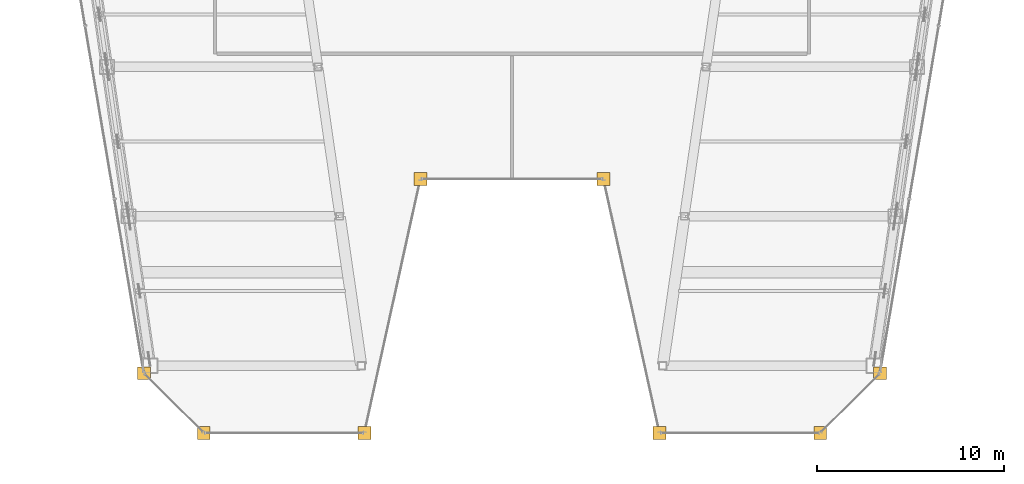
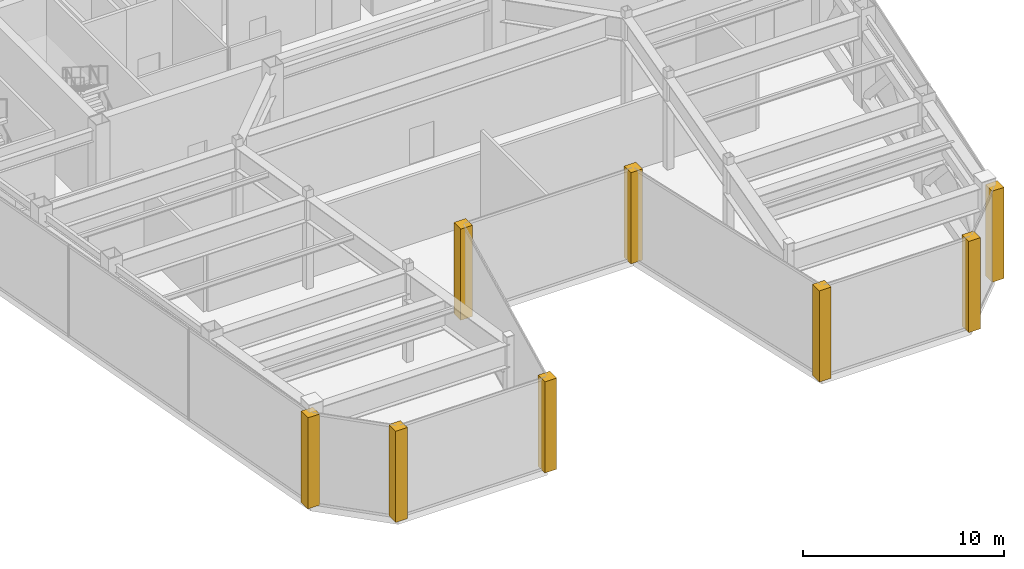
# One storey, part 32 of 34: 8 coverings.
"""IFC4 building model written with IfcOpenShell, lengths in metres."""

import ifcopenshell
import ifcopenshell.guid

model = None  # the IFC model being written
_history = None  # IfcOwnerHistory: only IFC2X3 demands one
_inside = {}  # id of a spatial element -> (the spatial element, [elements in it])
_under = {}  # id of a project, library or spatial element -> (it, [spatial elements below it])
_declared = {}  # id of a project -> (the project, [libraries it declares])
_typed = {}  # id of a type object -> (the type object, [elements of that type])
_made_of = {}  # id of a material, layer set ... -> (it, [elements and type objects made of it])


def new_model(schema):
    """Start an empty IFC model of exactly this schema.

    Asked for "IFC4X3", IfcOpenShell would pick the latest addendum, in which some entities
    have other attributes; the version numbers below select the first issue.
    IFC2X3 requires an IfcOwnerHistory on every rooted entity: one is made here for all.
    """
    global model, _history
    if schema == "IFC4X3":
        model = ifcopenshell.file(schema_version=(4, 3, 0, 0))
    else:
        model = ifcopenshell.file(schema=schema)
    _inside.clear()
    _under.clear()
    _declared.clear()
    _typed.clear()
    _made_of.clear()
    _history = None
    if model.schema == "IFC2X3":
        org = make("IfcOrganization", Name="unknown")
        user = make(
            "IfcPersonAndOrganization",
            ThePerson=make("IfcPerson", FamilyName="unknown"),
            TheOrganization=org,
        )
        app = make(
            "IfcApplication",
            ApplicationDeveloper=org,
            Version="unknown",
            ApplicationFullName="unknown",
            ApplicationIdentifier="unknown",
        )
        _history = make(
            "IfcOwnerHistory",
            OwningUser=user,
            OwningApplication=app,
            ChangeAction="ADDED",
            CreationDate=0,
        )
    return model


def make(cls, **values):
    """One entity of the class cls with the attributes given. An attribute that is None is left unset."""
    return model.create_entity(
        cls, **{name: value for name, value in values.items() if value is not None}
    )


def rooted(cls, **values):
    """An entity with a GlobalId (a new one), such as an element, a storey or a relation."""
    return make(cls, GlobalId=ifcopenshell.guid.new(), OwnerHistory=_history, **values)


def si_unit(unit_type, name, prefix=None):
    """IfcSIUnit, for example si_unit("LENGTHUNIT", "METRE", prefix="MILLI")."""
    return make("IfcSIUnit", UnitType=unit_type, Prefix=prefix, Name=name)


def assignment(units):
    """IfcUnitAssignment: the units of a project."""
    return None if units is None else make("IfcUnitAssignment", Units=units)


def point(xyz):
    """IfcCartesianPoint."""
    return None if xyz is None else make("IfcCartesianPoint", Coordinates=xyz)


def direction(xyz):
    """IfcDirection."""
    return None if xyz is None else make("IfcDirection", DirectionRatios=xyz)


def frame(location, z_axis=None, x_axis=None):
    """IfcAxis2Placement3D, a coordinate frame: its origin and axes. An axis left out is left unset."""
    return make(
        "IfcAxis2Placement3D",
        Location=point(location),
        Axis=direction(z_axis),
        RefDirection=direction(x_axis),
    )


def origin():
    """The frame at (0, 0, 0) with its axes left unset."""
    return frame((0.0, 0.0, 0.0))


def place(relative_to, where):
    """IfcLocalPlacement: puts the frame where relative to a parent placement (None: the world)."""
    return make(
        "IfcLocalPlacement", PlacementRelTo=relative_to, RelativePlacement=where
    )


def context(
    kind, dimensions, precision=None, world=None, true_north=None, identifier=None
):
    """IfcGeometricRepresentationContext, for example the 3D "Model" context."""
    return make(
        "IfcGeometricRepresentationContext",
        ContextIdentifier=identifier,
        ContextType=kind,
        CoordinateSpaceDimension=dimensions,
        Precision=precision,
        WorldCoordinateSystem=world,
        TrueNorth=true_north,
    )


def subcontext(parent, identifier, kind, view, scale=None):
    """IfcGeometricRepresentationSubContext, for example "Body" below "Model"."""
    return make(
        "IfcGeometricRepresentationSubContext",
        ContextIdentifier=identifier,
        ContextType=kind,
        ParentContext=parent,
        TargetScale=scale,
        TargetView=view,
    )


def project(units=None, contexts=None):
    """IfcProject with its units and contexts."""
    return rooted(
        "IfcProject",
        Name="project",
        RepresentationContexts=contexts,
        UnitsInContext=assignment(units),
    )


def spatial(cls, under=None, at=None, **own):
    """A site, building, storey or space (cls), placed at a placement, below another one or the project."""
    s = rooted(cls, ObjectPlacement=at, **own)
    if under is not None:
        _under.setdefault(under.id(), (under, []))[1].append(s)
    return s


def polyline(points):
    """IfcPolyline through the points."""
    return make("IfcPolyline", Points=[point(p) for p in points])


def outline(outer, holes=None, kind="AREA"):
    """IfcArbitraryClosedProfileDef: a profile drawn as a closed curve; with holes, ...WithVoids."""
    if holes is None:
        return make("IfcArbitraryClosedProfileDef", ProfileType=kind, OuterCurve=outer)
    return make(
        "IfcArbitraryProfileDefWithVoids",
        ProfileType=kind,
        OuterCurve=outer,
        InnerCurves=holes,
    )


def extrude(swept, where, along, depth):
    """IfcExtrudedAreaSolid: the profile swept, set in the frame where, extruded along a direction by depth."""
    return make(
        "IfcExtrudedAreaSolid",
        SweptArea=swept,
        Position=where,
        ExtrudedDirection=direction(along),
        Depth=depth,
    )


def shape(context_of_items, identifier, shape_type, items):
    """IfcShapeRepresentation: the items that make up one representation, for example the "Body"."""
    return make(
        "IfcShapeRepresentation",
        ContextOfItems=context_of_items,
        RepresentationIdentifier=identifier,
        RepresentationType=shape_type,
        Items=items,
    )


def material(Name=None, Category=None):
    """IfcMaterial."""
    return make("IfcMaterial", Name=Name, Category=Category)


def layer(
    of_material, thickness, ventilated=None, Name=None, Category=None, Priority=None
):
    """IfcMaterialLayer: one layer of a wall or slab, of a material (None: an air gap)."""
    return make(
        "IfcMaterialLayer",
        Material=of_material,
        LayerThickness=thickness,
        IsVentilated=ventilated,
        Name=Name,
        Category=Category,
        Priority=Priority,
    )


def layer_set(layers, Name=None):
    """IfcMaterialLayerSet."""
    return make("IfcMaterialLayerSet", MaterialLayers=layers, LayerSetName=Name)


def made_of(thing, what):
    """Note that an element or type object is made of a material, layer set ...; save() writes the relation."""
    if what is not None:
        _made_of.setdefault(what.id(), (what, []))[1].append(thing)
    return thing


def type_object(cls, material=None, **own):
    """A type object (cls), such as IfcWallType, which elements share."""
    return made_of(rooted(cls, **own), material)


def element(
    cls,
    number,
    at=None,
    inside=None,
    cuts=None,
    type_object=None,
    material=None,
    context=None,
    identifier="Body",
    shape_type=None,
    held_by="IfcProductDefinitionShape",
    body=None,
    shapes=None,
    **own,
):
    """One element of the class cls, such as IfcWall. Its Tag is "e" and its number.

    at: its placement. inside: the storey or other place that contains it. cuts: it is an
    opening in that element (IfcRelVoidsElement). A single representation is given by context,
    identifier, shape_type and body (its items); several are given by shapes. held_by: the class
    of the entity that holds the representations. save() writes the other relations.
    """
    e = rooted(cls, Tag="e%d" % number, ObjectPlacement=at, **own)
    if body is not None:
        shapes = [shape(context, identifier, shape_type, body)]
    if shapes is not None:
        e.Representation = make(held_by, Representations=shapes)
    if inside is not None:
        _inside.setdefault(inside.id(), (inside, []))[1].append(e)
    if cuts is not None:
        rooted(
            "IfcRelVoidsElement", RelatingBuildingElement=cuts, RelatedOpeningElement=e
        )
    if type_object is not None:
        _typed.setdefault(type_object.id(), (type_object, []))[1].append(e)
    return made_of(e, material)


def aggregate(whole, parts):
    """IfcRelAggregates: a whole, such as a stair, and the parts it consists of."""
    return rooted("IfcRelAggregates", RelatingObject=whole, RelatedObjects=parts)


def save(model, path):
    """Write the relations noted so far, then the file.

    IfcRelAggregates (storeys below a building ...), IfcRelContainedInSpatialStructure (elements
    in a storey), IfcRelDefinesByType, IfcRelAssociatesMaterial and IfcRelDeclares: one each for
    every whole, place, type object, material and project.
    """
    for whole, parts in _under.values():
        aggregate(whole, parts)
    for where, things in _inside.values():
        rooted(
            "IfcRelContainedInSpatialStructure",
            RelatedElements=things,
            RelatingStructure=where,
        )
    for kind, things in _typed.values():
        rooted("IfcRelDefinesByType", RelatedObjects=things, RelatingType=kind)
    for what, things in _made_of.values():
        rooted("IfcRelAssociatesMaterial", RelatedObjects=things, RelatingMaterial=what)
    for by, libraries in _declared.values():
        rooted("IfcRelDeclares", RelatingContext=by, RelatedDefinitions=libraries)
    model.write(path)


model = new_model("IFC4")

# Units and contexts
model_context = context("Model", 3, precision=1e-05, world=origin(), true_north=direction((0.0, 1.0)))
body_context = subcontext(model_context, "Body", "Model", "MODEL_VIEW")
ifc_project = project(units=[si_unit("LENGTHUNIT", "METRE"), si_unit("AREAUNIT", "SQUARE_METRE"), si_unit("VOLUMEUNIT", "CUBIC_METRE"), si_unit("PLANEANGLEUNIT", "RADIAN"), si_unit("MASSUNIT", "GRAM", prefix="KILO")], contexts=[model_context])

# Site, building, storey
site_placement = place(None, origin())
site = spatial("IfcSite", under=ifc_project, at=site_placement, CompositionType="ELEMENT")
building_placement = place(site_placement, origin())
building = spatial("IfcBuilding", under=site, at=building_placement, Name="Saevonmaru Cultural Tower", CompositionType="ELEMENT")
storey_placement = place(building_placement, frame((0.0, 0.0, 224.60009765625)))
storey = spatial("IfcBuildingStorey", under=building, at=storey_placement, Name="L52", CompositionType="ELEMENT", Elevation=224.60009765625)

# Coverings
ifc_material = material(Name="Satin Bronze Anodised Aluminium", Category="aluminium")
ifc_layer = layer(ifc_material, 0.679931640625, Name="Satin Bronze Anodised Aluminium")
ifc_layer_set = layer_set([ifc_layer], Name="Satin Bronze Anodised Aluminium")
covering_type = type_object("IfcCoveringType", Name="CV-CORNER-CLAD", PredefinedType="CLADDING", material=ifc_layer_set)
covering_1_placement = place(storey_placement, origin())
element("IfcCovering", 1, at=covering_1_placement, inside=storey, type_object=covering_type, Name="L52 Tower Bronze Corner Cladding Pier 1", PredefinedType="CLADDING", context=body_context, shape_type="SweptSolid", body=[
    extrude(outline(polyline([(9.9580078125, 15.260009765625), (10.637939453125, 15.260009765625), (10.637939453125, 15.93994140625), (9.9580078125, 15.93994140625), (9.9580078125, 15.260009765625)])), origin(), (0.0, 0.0, 1.0), 5.5498046875),
])
covering_2_placement = place(storey_placement, origin())
element("IfcCovering", 2, at=covering_2_placement, inside=storey, type_object=covering_type, Name="L52 Tower Bronze Corner Cladding Pier 2", PredefinedType="CLADDING", context=body_context, shape_type="SweptSolid", body=[
    extrude(outline(polyline([(13.157958984375, 12.06005859375), (13.837890625, 12.06005859375), (13.837890625, 12.739990234375), (13.157958984375, 12.739990234375), (13.157958984375, 12.06005859375)])), origin(), (0.0, 0.0, 1.0), 5.5498046875),
])
covering_3_placement = place(storey_placement, origin())
element("IfcCovering", 3, at=covering_3_placement, inside=storey, type_object=covering_type, Name="L52 Tower Bronze Corner Cladding Pier 3", PredefinedType="CLADDING", context=body_context, shape_type="SweptSolid", body=[
    extrude(outline(polyline([(21.758056640625, 12.06005859375), (22.43798828125, 12.06005859375), (22.43798828125, 12.739990234375), (21.758056640625, 12.739990234375), (21.758056640625, 12.06005859375)])), origin(), (0.0, 0.0, 1.0), 5.5498046875),
])
covering_4_placement = place(storey_placement, origin())
element("IfcCovering", 4, at=covering_4_placement, inside=storey, type_object=covering_type, Name="L52 Tower Bronze Corner Cladding Pier 4", PredefinedType="CLADDING", context=body_context, shape_type="SweptSolid", body=[
    extrude(outline(polyline([(24.758056640625, 25.659912109375), (25.43798828125, 25.659912109375), (25.43798828125, 26.340087890625), (24.758056640625, 26.340087890625), (24.758056640625, 25.659912109375)])), origin(), (0.0, 0.0, 1.0), 5.5498046875),
])
covering_5_placement = place(storey_placement, origin())
element("IfcCovering", 5, at=covering_5_placement, inside=storey, type_object=covering_type, Name="L52 Tower Bronze Corner Cladding Pier 5", PredefinedType="CLADDING", context=body_context, shape_type="SweptSolid", body=[
    extrude(outline(polyline([(34.56201171875, 25.659912109375), (35.241943359375, 25.659912109375), (35.241943359375, 26.340087890625), (34.56201171875, 26.340087890625), (34.56201171875, 25.659912109375)])), origin(), (0.0, 0.0, 1.0), 5.5498046875),
])
covering_6_placement = place(storey_placement, origin())
element("IfcCovering", 6, at=covering_6_placement, inside=storey, type_object=covering_type, Name="L52 Tower Bronze Corner Cladding Pier 6", PredefinedType="CLADDING", context=body_context, shape_type="SweptSolid", body=[
    extrude(outline(polyline([(37.56201171875, 12.06005859375), (38.241943359375, 12.06005859375), (38.241943359375, 12.739990234375), (37.56201171875, 12.739990234375), (37.56201171875, 12.06005859375)])), origin(), (0.0, 0.0, 1.0), 5.5498046875),
])
covering_7_placement = place(storey_placement, origin())
element("IfcCovering", 7, at=covering_7_placement, inside=storey, type_object=covering_type, Name="L52 Tower Bronze Corner Cladding Pier 7", PredefinedType="CLADDING", context=body_context, shape_type="SweptSolid", body=[
    extrude(outline(polyline([(46.162109375, 12.06005859375), (46.842041015625, 12.06005859375), (46.842041015625, 12.739990234375), (46.162109375, 12.739990234375), (46.162109375, 12.06005859375)])), origin(), (0.0, 0.0, 1.0), 5.5498046875),
])
covering_8_placement = place(storey_placement, origin())
element("IfcCovering", 8, at=covering_8_placement, inside=storey, type_object=covering_type, Name="L52 Tower Bronze Corner Cladding Pier 8", PredefinedType="CLADDING", context=body_context, shape_type="SweptSolid", body=[
    extrude(outline(polyline([(49.362060546875, 15.260009765625), (50.0419921875, 15.260009765625), (50.0419921875, 15.93994140625), (49.362060546875, 15.93994140625), (49.362060546875, 15.260009765625)])), origin(), (0.0, 0.0, 1.0), 5.5498046875),
])

save(model, "model.ifc")
